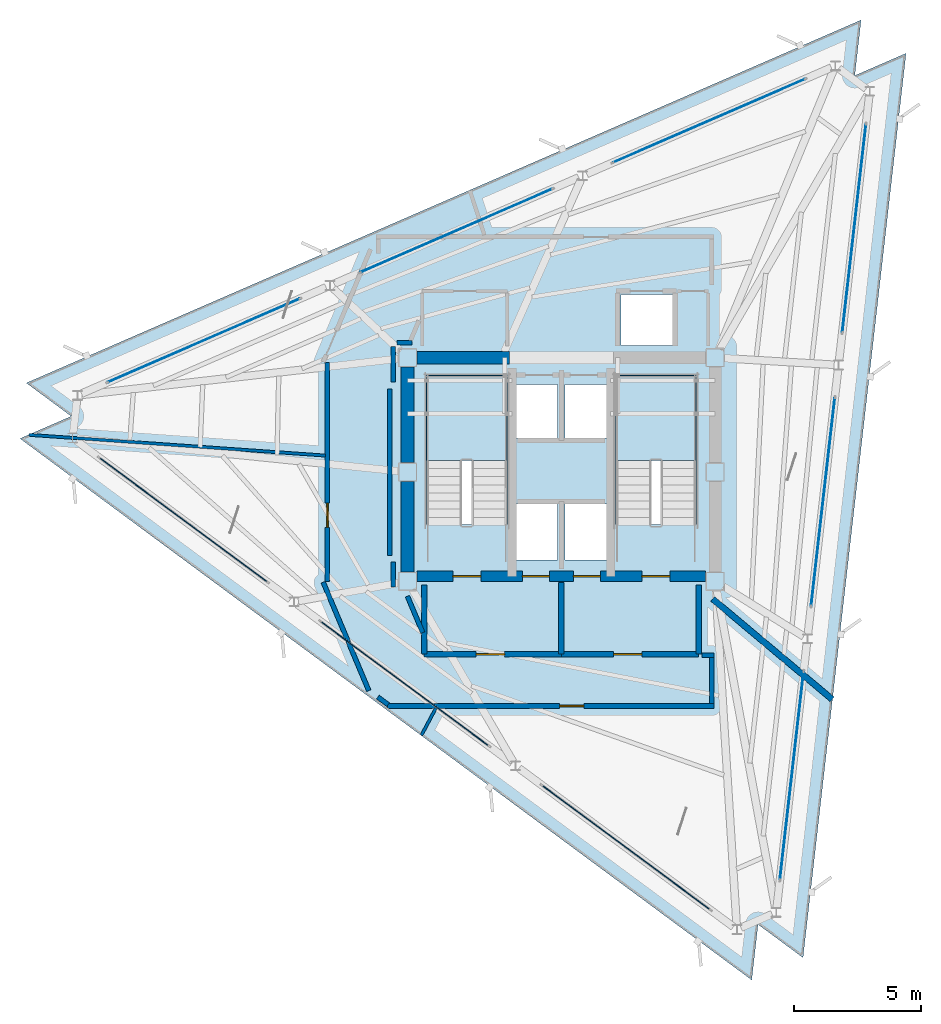
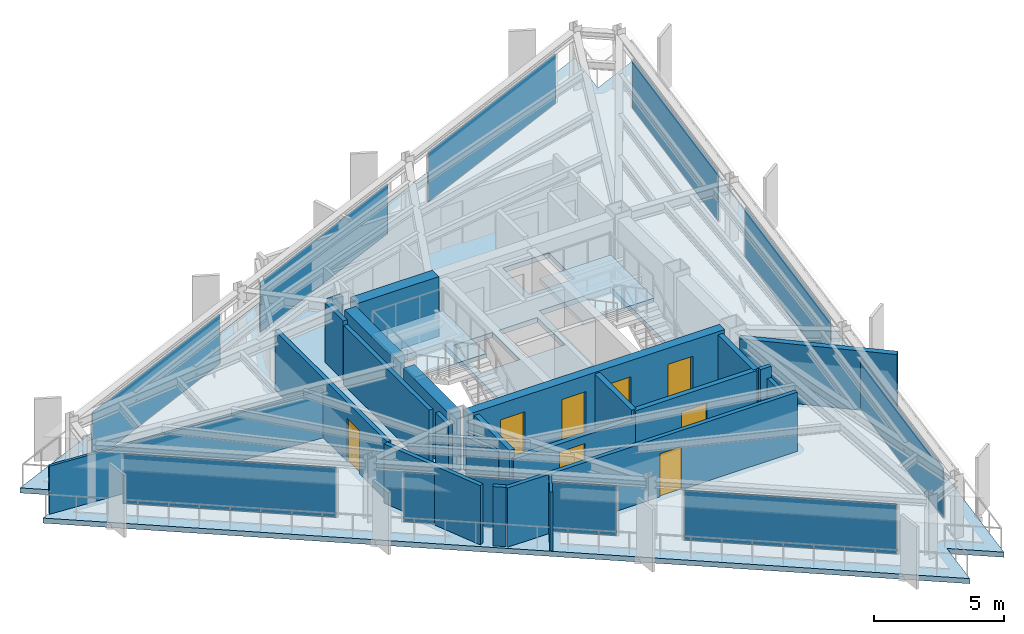
# One storey, part 5 of 9: 23 walls, 9 plates, 8 doors, 3 slabs, 8 openings, 11 elements without a shape of their own.
"""IFC4 building model written with IfcOpenShell, lengths in metres."""

import ifcopenshell
import ifcopenshell.guid

model = None  # the IFC model being written
_history = None  # IfcOwnerHistory: only IFC2X3 demands one
_inside = {}  # id of a spatial element -> (the spatial element, [elements in it])
_under = {}  # id of a project, library or spatial element -> (it, [spatial elements below it])
_declared = {}  # id of a project -> (the project, [libraries it declares])
_typed = {}  # id of a type object -> (the type object, [elements of that type])
_made_of = {}  # id of a material, layer set ... -> (it, [elements and type objects made of it])


def new_model(schema):
    """Start an empty IFC model of exactly this schema.

    Asked for "IFC4X3", IfcOpenShell would pick the latest addendum, in which some entities
    have other attributes; the version numbers below select the first issue.
    IFC2X3 requires an IfcOwnerHistory on every rooted entity: one is made here for all.
    """
    global model, _history
    if schema == "IFC4X3":
        model = ifcopenshell.file(schema_version=(4, 3, 0, 0))
    else:
        model = ifcopenshell.file(schema=schema)
    _inside.clear()
    _under.clear()
    _declared.clear()
    _typed.clear()
    _made_of.clear()
    _history = None
    if model.schema == "IFC2X3":
        org = make("IfcOrganization", Name="unknown")
        user = make(
            "IfcPersonAndOrganization",
            ThePerson=make("IfcPerson", FamilyName="unknown"),
            TheOrganization=org,
        )
        app = make(
            "IfcApplication",
            ApplicationDeveloper=org,
            Version="unknown",
            ApplicationFullName="unknown",
            ApplicationIdentifier="unknown",
        )
        _history = make(
            "IfcOwnerHistory",
            OwningUser=user,
            OwningApplication=app,
            ChangeAction="ADDED",
            CreationDate=0,
        )
    return model


def make(cls, **values):
    """One entity of the class cls with the attributes given. An attribute that is None is left unset."""
    return model.create_entity(
        cls, **{name: value for name, value in values.items() if value is not None}
    )


def rooted(cls, **values):
    """An entity with a GlobalId (a new one), such as an element, a storey or a relation."""
    return make(cls, GlobalId=ifcopenshell.guid.new(), OwnerHistory=_history, **values)


def si_unit(unit_type, name, prefix=None):
    """IfcSIUnit, for example si_unit("LENGTHUNIT", "METRE", prefix="MILLI")."""
    return make("IfcSIUnit", UnitType=unit_type, Prefix=prefix, Name=name)


def assignment(units):
    """IfcUnitAssignment: the units of a project."""
    return None if units is None else make("IfcUnitAssignment", Units=units)


def point(xyz):
    """IfcCartesianPoint."""
    return None if xyz is None else make("IfcCartesianPoint", Coordinates=xyz)


def direction(xyz):
    """IfcDirection."""
    return None if xyz is None else make("IfcDirection", DirectionRatios=xyz)


def frame(location, z_axis=None, x_axis=None):
    """IfcAxis2Placement3D, a coordinate frame: its origin and axes. An axis left out is left unset."""
    return make(
        "IfcAxis2Placement3D",
        Location=point(location),
        Axis=direction(z_axis),
        RefDirection=direction(x_axis),
    )


def frame_2d(location, x_axis=None):
    """IfcAxis2Placement2D, a coordinate frame in the plane: its origin and x axis."""
    return make(
        "IfcAxis2Placement2D", Location=point(location), RefDirection=direction(x_axis)
    )


def origin():
    """The frame at (0, 0, 0) with its axes left unset."""
    return frame((0.0, 0.0, 0.0))


def origin_2d():
    """The frame at (0, 0) in the plane with its x axis left unset."""
    return frame_2d((0.0, 0.0))


def place(relative_to, where):
    """IfcLocalPlacement: puts the frame where relative to a parent placement (None: the world)."""
    return make(
        "IfcLocalPlacement", PlacementRelTo=relative_to, RelativePlacement=where
    )


def context(
    kind, dimensions, precision=None, world=None, true_north=None, identifier=None
):
    """IfcGeometricRepresentationContext, for example the 3D "Model" context."""
    return make(
        "IfcGeometricRepresentationContext",
        ContextIdentifier=identifier,
        ContextType=kind,
        CoordinateSpaceDimension=dimensions,
        Precision=precision,
        WorldCoordinateSystem=world,
        TrueNorth=true_north,
    )


def subcontext(parent, identifier, kind, view, scale=None):
    """IfcGeometricRepresentationSubContext, for example "Body" below "Model"."""
    return make(
        "IfcGeometricRepresentationSubContext",
        ContextIdentifier=identifier,
        ContextType=kind,
        ParentContext=parent,
        TargetScale=scale,
        TargetView=view,
    )


def project(units=None, contexts=None):
    """IfcProject with its units and contexts."""
    return rooted(
        "IfcProject",
        Name="project",
        RepresentationContexts=contexts,
        UnitsInContext=assignment(units),
    )


def spatial(cls, under=None, at=None, **own):
    """A site, building, storey or space (cls), placed at a placement, below another one or the project."""
    s = rooted(cls, ObjectPlacement=at, **own)
    if under is not None:
        _under.setdefault(under.id(), (under, []))[1].append(s)
    return s


def polyline(points):
    """IfcPolyline through the points."""
    return make("IfcPolyline", Points=[point(p) for p in points])


def profile(cls, at=None, kind="AREA", **sizes):
    """A parametric profile (cls). Its sizes go by their IFC names, for example OverallWidth=200.0."""
    return make(cls, ProfileType=kind, Position=at, **sizes)


def rectangle(**sizes):
    """IfcRectangleProfileDef."""
    return profile("IfcRectangleProfileDef", **sizes)


def outline(outer, holes=None, kind="AREA"):
    """IfcArbitraryClosedProfileDef: a profile drawn as a closed curve; with holes, ...WithVoids."""
    if holes is None:
        return make("IfcArbitraryClosedProfileDef", ProfileType=kind, OuterCurve=outer)
    return make(
        "IfcArbitraryProfileDefWithVoids",
        ProfileType=kind,
        OuterCurve=outer,
        InnerCurves=holes,
    )


def extrude(swept, where, along, depth):
    """IfcExtrudedAreaSolid: the profile swept, set in the frame where, extruded along a direction by depth."""
    return make(
        "IfcExtrudedAreaSolid",
        SweptArea=swept,
        Position=where,
        ExtrudedDirection=direction(along),
        Depth=depth,
    )


def shape(context_of_items, identifier, shape_type, items):
    """IfcShapeRepresentation: the items that make up one representation, for example the "Body"."""
    return make(
        "IfcShapeRepresentation",
        ContextOfItems=context_of_items,
        RepresentationIdentifier=identifier,
        RepresentationType=shape_type,
        Items=items,
    )


def material(Name=None, Category=None):
    """IfcMaterial."""
    return make("IfcMaterial", Name=Name, Category=Category)


def layer(
    of_material, thickness, ventilated=None, Name=None, Category=None, Priority=None
):
    """IfcMaterialLayer: one layer of a wall or slab, of a material (None: an air gap)."""
    return make(
        "IfcMaterialLayer",
        Material=of_material,
        LayerThickness=thickness,
        IsVentilated=ventilated,
        Name=Name,
        Category=Category,
        Priority=Priority,
    )


def layer_set(layers, Name=None):
    """IfcMaterialLayerSet."""
    return make("IfcMaterialLayerSet", MaterialLayers=layers, LayerSetName=Name)


def made_of(thing, what):
    """Note that an element or type object is made of a material, layer set ...; save() writes the relation."""
    if what is not None:
        _made_of.setdefault(what.id(), (what, []))[1].append(thing)
    return thing


def type_object(cls, material=None, **own):
    """A type object (cls), such as IfcWallType, which elements share."""
    return made_of(rooted(cls, **own), material)


def element(
    cls,
    number,
    at=None,
    inside=None,
    cuts=None,
    type_object=None,
    material=None,
    context=None,
    identifier="Body",
    shape_type=None,
    held_by="IfcProductDefinitionShape",
    body=None,
    shapes=None,
    **own,
):
    """One element of the class cls, such as IfcWall. Its Tag is "e" and its number.

    at: its placement. inside: the storey or other place that contains it. cuts: it is an
    opening in that element (IfcRelVoidsElement). A single representation is given by context,
    identifier, shape_type and body (its items); several are given by shapes. held_by: the class
    of the entity that holds the representations. save() writes the other relations.
    """
    e = rooted(cls, Tag="e%d" % number, ObjectPlacement=at, **own)
    if body is not None:
        shapes = [shape(context, identifier, shape_type, body)]
    if shapes is not None:
        e.Representation = make(held_by, Representations=shapes)
    if inside is not None:
        _inside.setdefault(inside.id(), (inside, []))[1].append(e)
    if cuts is not None:
        rooted(
            "IfcRelVoidsElement", RelatingBuildingElement=cuts, RelatedOpeningElement=e
        )
    if type_object is not None:
        _typed.setdefault(type_object.id(), (type_object, []))[1].append(e)
    return made_of(e, material)


def fill(opening, filler):
    """IfcRelFillsElement: the door or window that sits in an opening."""
    return rooted(
        "IfcRelFillsElement",
        RelatingOpeningElement=opening,
        RelatedBuildingElement=filler,
    )


def aggregate(whole, parts):
    """IfcRelAggregates: a whole, such as a stair, and the parts it consists of."""
    return rooted("IfcRelAggregates", RelatingObject=whole, RelatedObjects=parts)


def save(model, path):
    """Write the relations noted so far, then the file.

    IfcRelAggregates (storeys below a building ...), IfcRelContainedInSpatialStructure (elements
    in a storey), IfcRelDefinesByType, IfcRelAssociatesMaterial and IfcRelDeclares: one each for
    every whole, place, type object, material and project.
    """
    for whole, parts in _under.values():
        aggregate(whole, parts)
    for where, things in _inside.values():
        rooted(
            "IfcRelContainedInSpatialStructure",
            RelatedElements=things,
            RelatingStructure=where,
        )
    for kind, things in _typed.values():
        rooted("IfcRelDefinesByType", RelatedObjects=things, RelatingType=kind)
    for what, things in _made_of.values():
        rooted("IfcRelAssociatesMaterial", RelatedObjects=things, RelatingMaterial=what)
    for by, libraries in _declared.values():
        rooted("IfcRelDeclares", RelatingContext=by, RelatedDefinitions=libraries)
    model.write(path)


model = new_model("IFC4")

# Units and contexts
model_context = context("Model", 3, precision=1e-05, world=origin(), true_north=direction((0.0, 1.0)))
body_context = subcontext(model_context, "Body", "Model", "MODEL_VIEW")
ifc_project = project(units=[si_unit("LENGTHUNIT", "METRE"), si_unit("AREAUNIT", "SQUARE_METRE"), si_unit("VOLUMEUNIT", "CUBIC_METRE"), si_unit("PLANEANGLEUNIT", "RADIAN"), si_unit("MASSUNIT", "GRAM", prefix="KILO")], contexts=[model_context])

# Site, building, storey
site_placement = place(None, origin())
site = spatial("IfcSite", under=ifc_project, at=site_placement, CompositionType="ELEMENT")
building_placement = place(site_placement, origin())
building = spatial("IfcBuilding", under=site, at=building_placement, Name="Rocaltana Carrier Exchange", CompositionType="ELEMENT")
storey_placement = place(building_placement, frame((0.0, 0.0, 233.1201171875)))
storey = spatial("IfcBuildingStorey", under=building, at=storey_placement, Name="L74", CompositionType="ELEMENT", Elevation=233.1201171875)

# Curtain wall, plate
ifc_material_1 = material(Name="Aluminium 6063-T6", Category="aluminium")
ifc_layer_1 = layer(ifc_material_1, 0.1201171875)
ifc_layer_set_1 = layer_set([ifc_layer_1], Name="Aluminium 6063-T6")
curtain_wall_type = type_object("IfcCurtainWallType", Name="High-Altitude Thermal Curtain Wall CW-05", PredefinedType="NOTDEFINED", material=ifc_layer_set_1)
curtain_wall_1_placement = place(storey_placement, origin())
curtain_wall_1 = element("IfcCurtainWall", 1, at=curtain_wall_1_placement, inside=storey, type_object=curtain_wall_type, Name="L74 CW-05 Run CW-L74-F1S1", PredefinedType="NOTDEFINED")
ifc_material_2 = material(Name="Tempered Laminated Glass", Category="glass")
ifc_layer_2 = layer(ifc_material_2, 0.035888671875)
ifc_layer_set_2 = layer_set([ifc_layer_2], Name="Tempered Laminated Glass")
plate_type = type_object("IfcPlateType", Name="CW-05 Stone-Insulated Vision Panel", PredefinedType="CURTAIN_PANEL", material=ifc_layer_set_2)
plate_1_placement = place(storey_placement, frame((9.061767578125, -11.935791015625, 0.06005859375), z_axis=(0.0, 0.0, 1.0), x_axis=(0.113208822277, 0.993571216652, 0.0)))
plate_1 = element("IfcPlate", 2, at=plate_1_placement, type_object=plate_type, Name="CW-05 panel 1.1", PredefinedType="CURTAIN_PANEL", context=body_context, shape_type="SweptSolid", body=[
    extrude(rectangle(XDim=8.21337890625, YDim=0.035888671875, at=origin_2d()), origin(), (0.0, 0.0, 1.0), 2.327880859375),
])
aggregate(curtain_wall_1, [plate_1])

curtain_wall_2_placement = place(storey_placement, origin())
curtain_wall_2 = element("IfcCurtainWall", 3, at=curtain_wall_2_placement, inside=storey, type_object=curtain_wall_type, Name="L74 CW-05 Run CW-L74-F1S2", PredefinedType="NOTDEFINED")
plate_2_placement = place(storey_placement, frame((10.2880859375, -1.172119140625, 0.06005859375), z_axis=(0.0, 0.0, 1.0), x_axis=(0.113208822277, 0.993571216652, 0.0)))
plate_2 = element("IfcPlate", 4, at=plate_2_placement, type_object=plate_type, Name="CW-05 panel 1.1", PredefinedType="CURTAIN_PANEL", context=body_context, shape_type="SweptSolid", body=[
    extrude(rectangle(XDim=8.21337890625, YDim=0.035888671875, at=origin_2d()), origin(), (0.0, 0.0, 1.0), 2.327880859375),
])
aggregate(curtain_wall_2, [plate_2])

curtain_wall_3_placement = place(storey_placement, origin())
curtain_wall_3 = element("IfcCurtainWall", 5, at=curtain_wall_3_placement, inside=storey, type_object=curtain_wall_type, Name="L74 CW-05 Run CW-L74-F1S3", PredefinedType="NOTDEFINED")
plate_3_placement = place(storey_placement, frame((11.5146484375, 9.591552734375, 0.06005859375), z_axis=(0.0, 0.0, 1.0), x_axis=(0.113196975964, 0.993572566365, 0.0)))
plate_3 = element("IfcPlate", 6, at=plate_3_placement, type_object=plate_type, Name="CW-05 panel 1.1", PredefinedType="CURTAIN_PANEL", context=body_context, shape_type="SweptSolid", body=[
    extrude(rectangle(XDim=8.21337890625, YDim=0.035888671875, at=origin_2d()), origin(), (0.0, 0.0, 1.0), 2.327880859375),
])
aggregate(curtain_wall_3, [plate_3])

curtain_wall_4_placement = place(storey_placement, origin())
curtain_wall_4 = element("IfcCurtainWall", 7, at=curtain_wall_4_placement, inside=storey, type_object=curtain_wall_type, Name="L74 CW-05 Run CW-L74-F2S1", PredefinedType="NOTDEFINED")
plate_4_placement = place(storey_placement, frame((5.805908203125, 13.815673828125, 0.06005859375), z_axis=(0.0, 0.0, 1.0), x_axis=(-0.917056701313, -0.39875682637, 0.0)))
plate_4 = element("IfcPlate", 8, at=plate_4_placement, type_object=plate_type, Name="CW-05 panel 1.1", PredefinedType="CURTAIN_PANEL", context=body_context, shape_type="SweptSolid", body=[
    extrude(rectangle(XDim=8.21337890625, YDim=0.035888671875, at=origin_2d()), origin(), (0.0, 0.0, 1.0), 2.327880859375),
])
aggregate(curtain_wall_4, [plate_4])

curtain_wall_5_placement = place(storey_placement, origin())
curtain_wall_5 = element("IfcCurtainWall", 9, at=curtain_wall_5_placement, inside=storey, type_object=curtain_wall_type, Name="L74 CW-05 Run CW-L74-F2S2", PredefinedType="NOTDEFINED")
plate_5_placement = place(storey_placement, frame((-4.12890625, 9.495849609375, 0.06005859375), z_axis=(0.0, 0.0, 1.0), x_axis=(-0.917058609352, -0.398752438254, 0.0)))
plate_5 = element("IfcPlate", 10, at=plate_5_placement, type_object=plate_type, Name="CW-05 panel 1.1", PredefinedType="CURTAIN_PANEL", context=body_context, shape_type="SweptSolid", body=[
    extrude(rectangle(XDim=8.21337890625, YDim=0.035888671875, at=origin_2d()), origin(), (0.0, 0.0, 1.0), 2.327880859375),
])
aggregate(curtain_wall_5, [plate_5])

curtain_wall_6_placement = place(storey_placement, origin())
curtain_wall_6 = element("IfcCurtainWall", 11, at=curtain_wall_6_placement, inside=storey, type_object=curtain_wall_type, Name="L74 CW-05 Run CW-L74-F2S3", PredefinedType="NOTDEFINED")
plate_6_placement = place(storey_placement, frame((-14.063720703125, 5.176025390625, 0.06005859375), z_axis=(0.0, 0.0, 1.0), x_axis=(-0.917056701313, -0.39875682637, 0.0)))
plate_6 = element("IfcPlate", 12, at=plate_6_placement, type_object=plate_type, Name="CW-05 panel 1.1", PredefinedType="CURTAIN_PANEL", context=body_context, shape_type="SweptSolid", body=[
    extrude(rectangle(XDim=8.21337890625, YDim=0.035888671875, at=origin_2d()), origin(), (0.0, 0.0, 1.0), 2.327880859375),
])
aggregate(curtain_wall_6, [plate_6])

curtain_wall_7_placement = place(storey_placement, origin())
curtain_wall_7 = element("IfcCurtainWall", 13, at=curtain_wall_7_placement, inside=storey, type_object=curtain_wall_type, Name="L74 CW-05 Run CW-L74-F3S1", PredefinedType="NOTDEFINED")
plate_7_placement = place(storey_placement, frame((-14.86767578125, -1.8798828125, 0.06005859375), z_axis=(0.0, 0.0, 1.0), x_axis=(0.803854063386, -0.594826566974, 0.0)))
plate_7 = element("IfcPlate", 14, at=plate_7_placement, type_object=plate_type, Name="CW-05 panel 1.1", PredefinedType="CURTAIN_PANEL", context=body_context, shape_type="SweptSolid", body=[
    extrude(rectangle(XDim=8.21337890625, YDim=0.035888671875, at=origin_2d()), origin(), (0.0, 0.0, 1.0), 2.327880859375),
])
aggregate(curtain_wall_7, [plate_7])

curtain_wall_8_placement = place(storey_placement, origin())
curtain_wall_8 = element("IfcCurtainWall", 15, at=curtain_wall_8_placement, inside=storey, type_object=curtain_wall_type, Name="L74 CW-05 Run CW-L74-F3S2", PredefinedType="NOTDEFINED")
plate_8_placement = place(storey_placement, frame((-6.1591796875, -8.32373046875, 0.06005859375), z_axis=(0.0, 0.0, 1.0), x_axis=(0.803858309141, -0.594820829179, 0.0)))
plate_8 = element("IfcPlate", 16, at=plate_8_placement, type_object=plate_type, Name="CW-05 panel 1.1", PredefinedType="CURTAIN_PANEL", context=body_context, shape_type="SweptSolid", body=[
    extrude(rectangle(XDim=8.21337890625, YDim=0.035888671875, at=origin_2d()), origin(), (0.0, 0.0, 1.0), 2.327880859375),
])
aggregate(curtain_wall_8, [plate_8])

curtain_wall_9_placement = place(storey_placement, origin())
curtain_wall_9 = element("IfcCurtainWall", 17, at=curtain_wall_9_placement, inside=storey, type_object=curtain_wall_type, Name="L74 CW-05 Run CW-L74-F3S3", PredefinedType="NOTDEFINED")
plate_9_placement = place(storey_placement, frame((2.54931640625, -14.767578125, 0.06005859375), z_axis=(0.0, 0.0, 1.0), x_axis=(0.803854063386, -0.594826566974, 0.0)))
plate_9 = element("IfcPlate", 18, at=plate_9_placement, type_object=plate_type, Name="CW-05 panel 1.1", PredefinedType="CURTAIN_PANEL", context=body_context, shape_type="SweptSolid", body=[
    extrude(rectangle(XDim=8.21337890625, YDim=0.035888671875, at=origin_2d()), origin(), (0.0, 0.0, 1.0), 2.327880859375),
])
aggregate(curtain_wall_9, [plate_9])

# Slab
ifc_material_3 = material(Name="Concrete C50/60", Category="concrete")
ifc_layer_3 = layer(ifc_material_3, 0.239990234375)
ifc_layer_set_3 = layer_set([ifc_layer_3], Name="Concrete C50/60")
slab_type_1 = type_object("IfcSlabType", Name="High-Zone Tower Slab 240", PredefinedType="FLOOR", material=ifc_layer_set_3)
slab_1_placement = place(storey_placement, frame((0.0, 0.0, -0.240234375)))
element("IfcSlab", 19, at=slab_1_placement, inside=storey, type_object=slab_type_1, Name="L74 Structural Floor Slab", PredefinedType="FLOOR", context=body_context, shape_type="SweptSolid", body=[
    extrude(outline(polyline([(7.486328125, -19.975830078125), (7.7353515625, -17.7900390625), (9.50390625, -19.0986328125), (13.556396484375, 16.47119140625), (11.538818359375, 15.593994140625), (11.7880859375, 17.77978515625), (-21.042724609375, 3.504638671875), (-19.2744140625, 2.196044921875), (-21.291748046875, 1.31884765625), (7.486328125, -19.975830078125)]), holes=[polyline([(-5.300048828125, -2.06005859375), (-2.139892578125, -2.06005859375), (-2.139892578125, 3.800048828125), (-5.300048828125, 3.800048828125), (-5.300048828125, -2.06005859375)]), polyline([(2.139892578125, -2.06005859375), (5.300048828125, -2.06005859375), (5.300048828125, 3.800048828125), (2.139892578125, 3.800048828125), (2.139892578125, -2.06005859375)]), polyline([(-1.85009765625, -3.449951171875), (-0.14990234375, -3.449951171875), (-0.14990234375, -1.25), (-1.85009765625, -1.25), (-1.85009765625, -3.449951171875)]), polyline([(0.14990234375, -3.449951171875), (1.85009765625, -3.449951171875), (1.85009765625, -1.25), (0.14990234375, -1.25), (0.14990234375, -3.449951171875)]), polyline([(2.35009765625, 4.97998046875), (4.39990234375, 4.97998046875), (4.39990234375, 6.97998046875), (2.35009765625, 6.97998046875), (2.35009765625, 4.97998046875)]), polyline([(-1.85009765625, 1.35009765625), (-0.14990234375, 1.35009765625), (-0.14990234375, 3.449951171875), (-1.85009765625, 3.449951171875), (-1.85009765625, 1.35009765625)]), polyline([(0.14990234375, 1.35009765625), (1.85009765625, 1.35009765625), (1.85009765625, 3.449951171875), (0.14990234375, 3.449951171875), (0.14990234375, 1.35009765625)])]), origin(), (0.0, 0.0, 1.0), 0.240234375),
])

# Stair, slab
ifc_material_4 = material(Name="Precast concrete C45/55", Category="concrete")
stair_type = type_object("IfcStairType", Name="Standard Dog-Leg Stair 160", PredefinedType="HALF_TURN_STAIR", material=ifc_material_4)
stair_1_placement = place(storey_placement, origin())
stair_1 = element("IfcStair", 20, at=stair_1_placement, inside=storey, type_object=stair_type, Name="L74 Core West Exit Stair ST-1", PredefinedType="HALF_TURN_STAIR")
ifc_material_5 = material(Name="Precast concrete C45/55", Category="concrete")
ifc_layer_4 = layer(ifc_material_5, 0.199951171875)
ifc_layer_set_4 = layer_set([ifc_layer_4], Name="Precast concrete C45/55")
slab_type_2 = type_object("IfcSlabType", Name="Precast Stair Half-Landing 200", PredefinedType="LANDING", material=ifc_layer_set_4)
slab_2_placement = place(storey_placement, frame((0.0, 0.0, 1.31982421875)))
slab_2 = element("IfcSlab", 21, at=slab_2_placement, type_object=slab_type_2, Name="ST-1 landing 1", PredefinedType="LANDING", context=body_context, shape_type="SweptSolid", body=[
    extrude(outline(polyline([(-2.139892578125, 0.4599609375), (-2.139892578125, 3.800048828125), (-5.300048828125, 3.800048828125), (-5.300048828125, 0.4599609375), (-2.139892578125, 0.4599609375)])), origin(), (0.0, 0.0, 1.0), 0.199951171875),
])
aggregate(stair_1, [slab_2])

stair_2_placement = place(storey_placement, origin())
stair_2 = element("IfcStair", 22, at=stair_2_placement, inside=storey, type_object=stair_type, Name="L74 Core East Exit Stair ST-2", PredefinedType="HALF_TURN_STAIR")
slab_3_placement = place(storey_placement, frame((0.0, 0.0, 1.31982421875)))
slab_3 = element("IfcSlab", 23, at=slab_3_placement, type_object=slab_type_2, Name="ST-2 landing 1", PredefinedType="LANDING", context=body_context, shape_type="SweptSolid", body=[
    extrude(outline(polyline([(5.300048828125, 0.4599609375), (5.300048828125, 3.800048828125), (2.139892578125, 3.800048828125), (2.139892578125, 0.4599609375), (5.300048828125, 0.4599609375)])), origin(), (0.0, 0.0, 1.0), 0.199951171875),
])
aggregate(stair_2, [slab_3])

# Wall, openings, doors
ifc_material_6 = material(Name="Concrete C50/60", Category="concrete")
ifc_layer_5 = layer(ifc_material_6, 0.39990234375)
ifc_layer_set_5 = layer_set([ifc_layer_5], Name="Concrete C50/60")
wall_type_1 = type_object("IfcWallType", Name="Core Internal Shear Wall 400", PredefinedType="SHEAR", material=ifc_layer_set_5)
wall_1_placement = place(storey_placement, frame((-5.675048828125, -4.10009765625, 0.0), z_axis=(0.0, 0.0, 1.0), x_axis=(1.0, 0.0, 0.0)))
wall_1 = element("IfcWall", 24, at=wall_1_placement, inside=storey, type_object=wall_type_1, Name="L74 Core Shear Wall CW-S", PredefinedType="SHEAR", context=body_context, shape_type="SweptSolid", body=[
    extrude(rectangle(XDim=11.35009765625, YDim=0.39990234375, at=frame_2d((5.675048828125, 0.0))), origin(), (0.0, 0.0, 1.0), 2.7978515625),
])
opening_1_placement = place(wall_1_placement, frame((1.405029296875, 0.0, 0.0)))
opening_1 = element("IfcOpeningElement", 25, at=opening_1_placement, cuts=wall_1, Name="Opening D-ST110", PredefinedType="OPENING", context=body_context, shape_type="SweptSolid", body=[
    extrude(rectangle(XDim=1.10009765625, YDim=2.0400390625, at=frame_2d((0.550048828125, 1.02001953125))), frame((0.0, 0.2099609375, 0.0), z_axis=(0.0, -1.0, 0.0), x_axis=(1.0, 0.0, 0.0)), (0.0, 0.0, 1.0), 0.419921875),
])
opening_2_placement = place(wall_1_placement, frame((8.844970703125, 0.0, 0.0)))
opening_2 = element("IfcOpeningElement", 26, at=opening_2_placement, cuts=wall_1, Name="Opening D-ST110", PredefinedType="OPENING", context=body_context, shape_type="SweptSolid", body=[
    extrude(rectangle(XDim=1.10009765625, YDim=2.0400390625, at=frame_2d((0.550048828125, 1.02001953125))), frame((0.0, 0.2099609375, 0.0), z_axis=(0.0, -1.0, 0.0), x_axis=(1.0, 0.0, 0.0)), (0.0, 0.0, 1.0), 0.419921875),
])
opening_3_placement = place(wall_1_placement, frame((4.14501953125, 0.0, 0.0)))
opening_3 = element("IfcOpeningElement", 27, at=opening_3_placement, cuts=wall_1, Name="Opening LD-110", PredefinedType="OPENING", context=body_context, shape_type="SweptSolid", body=[
    extrude(rectangle(XDim=1.06005859375, YDim=2.0400390625, at=frame_2d((0.530029296875, 1.02001953125))), frame((0.0, 0.2099609375, 0.0), z_axis=(0.0, -1.0, 0.0), x_axis=(1.0, 0.0, 0.0)), (0.0, 0.0, 1.0), 0.419921875),
])
opening_4_placement = place(wall_1_placement, frame((6.14501953125, 0.0, 0.0)))
opening_4 = element("IfcOpeningElement", 28, at=opening_4_placement, cuts=wall_1, Name="Opening LD-110", PredefinedType="OPENING", context=body_context, shape_type="SweptSolid", body=[
    extrude(rectangle(XDim=1.06005859375, YDim=2.0400390625, at=frame_2d((0.530029296875, 1.02001953125))), frame((0.0, 0.2099609375, 0.0), z_axis=(0.0, -1.0, 0.0), x_axis=(1.0, 0.0, 0.0)), (0.0, 0.0, 1.0), 0.419921875),
])
ifc_material_7 = material(Name="Hollow Metal Fire Door Assembly", Category="steel")
door_type_1 = type_object("IfcDoorType", Name="Exit Stair Fire Door 1100x2040 FD90S", OperationType="NOTDEFINED", PredefinedType="DOOR", material=ifc_material_7)
door_1_placement = place(opening_1_placement, origin())
door_1 = element("IfcDoor", 29, at=door_1_placement, inside=storey, type_object=door_type_1, Name="L74 Exit Stair ST1 Fire Door", OperationType="SINGLE_SWING_LEFT", OverallHeight=2.0400390625, OverallWidth=1.10009765625, PredefinedType="DOOR", context=body_context, shape_type="SweptSolid", body=[
    extrude(rectangle(XDim=1.10009765625, YDim=2.0400390625, at=frame_2d((0.550048828125, 1.02001953125))), frame((0.0, 0.02490234375, 0.0), z_axis=(0.0, -1.0, 0.0), x_axis=(1.0, 0.0, 0.0)), (0.0, 0.0, 1.0), 0.050048828125),
])
fill(opening_1, door_1)
door_2_placement = place(opening_2_placement, origin())
door_2 = element("IfcDoor", 30, at=door_2_placement, inside=storey, type_object=door_type_1, Name="L74 Exit Stair ST2 Fire Door", OperationType="SINGLE_SWING_RIGHT", OverallHeight=2.0400390625, OverallWidth=1.10009765625, PredefinedType="DOOR", context=body_context, shape_type="SweptSolid", body=[
    extrude(rectangle(XDim=1.10009765625, YDim=2.0400390625, at=frame_2d((0.550048828125, 1.02001953125))), frame((0.0, 0.02490234375, 0.0), z_axis=(0.0, -1.0, 0.0), x_axis=(1.0, 0.0, 0.0)), (0.0, 0.0, 1.0), 0.050048828125),
])
fill(opening_2, door_2)
ifc_material_8 = material(Name="Brushed Stainless Sliding Door Leaf", Category="steel")
door_type_2 = type_object("IfcDoorType", Name="Lift Landing Sliding Door 1060x2040", OperationType="NOTDEFINED", PredefinedType="DOOR", material=ifc_material_8)
door_3_placement = place(opening_3_placement, origin())
door_3 = element("IfcDoor", 31, at=door_3_placement, inside=storey, type_object=door_type_2, Name="L74 Firefighting Lift FFL1 Landing Door", OperationType="SLIDING_TO_LEFT", OverallHeight=2.0400390625, OverallWidth=1.06005859375, PredefinedType="DOOR", context=body_context, shape_type="SweptSolid", body=[
    extrude(rectangle(XDim=1.06005859375, YDim=2.0400390625, at=frame_2d((0.530029296875, 1.02001953125))), frame((0.0, 0.02490234375, 0.0), z_axis=(0.0, -1.0, 0.0), x_axis=(1.0, 0.0, 0.0)), (0.0, 0.0, 1.0), 0.050048828125),
])
fill(opening_3, door_3)
door_4_placement = place(opening_4_placement, origin())
door_4 = element("IfcDoor", 32, at=door_4_placement, inside=storey, type_object=door_type_2, Name="L74 Firefighting Lift FFL2 Landing Door", OperationType="SLIDING_TO_RIGHT", OverallHeight=2.0400390625, OverallWidth=1.06005859375, PredefinedType="DOOR", context=body_context, shape_type="SweptSolid", body=[
    extrude(rectangle(XDim=1.06005859375, YDim=2.0400390625, at=frame_2d((0.530029296875, 1.02001953125))), frame((0.0, 0.02490234375, 0.0), z_axis=(0.0, -1.0, 0.0), x_axis=(1.0, 0.0, 0.0)), (0.0, 0.0, 1.0), 0.050048828125),
])
fill(opening_4, door_4)

# Walls
ifc_material_9 = material(Name="Concrete C50/60", Category="concrete")
ifc_layer_6 = layer(ifc_material_9, 0.5)
ifc_layer_set_6 = layer_set([ifc_layer_6], Name="Concrete C50/60")
wall_type_2 = type_object("IfcWallType", Name="Core Shear Wall 500", PredefinedType="SHEAR", material=ifc_layer_set_6)
wall_2_placement = place(storey_placement, frame((-6.050048828125, 0.375, 0.0), z_axis=(0.0, 0.0, 1.0), x_axis=(0.0, 1.0, 0.0)))
element("IfcWall", 33, at=wall_2_placement, inside=storey, type_object=wall_type_2, Name="L74 Core Shear Wall CW-WN", PredefinedType="SHEAR", context=body_context, shape_type="SweptSolid", body=[
    extrude(rectangle(XDim=3.75, YDim=0.5, at=frame_2d((1.875, 0.0))), origin(), (0.0, 0.0, 1.0), 2.7978515625),
])
wall_3_placement = place(storey_placement, frame((-6.050048828125, -3.925048828125, 0.0), z_axis=(0.0, 0.0, 1.0), x_axis=(0.0, 1.0, 0.0)))
element("IfcWall", 34, at=wall_3_placement, inside=storey, type_object=wall_type_2, Name="L74 Core Shear Wall CW-WS", PredefinedType="SHEAR", context=body_context, shape_type="SweptSolid", body=[
    extrude(rectangle(XDim=3.550048828125, YDim=0.5, at=frame_2d((1.77490234375, 0.0))), origin(), (0.0, 0.0, 1.0), 2.7978515625),
])
wall_4_placement = place(storey_placement, frame((-5.675048828125, 4.5, 0.0), z_axis=(0.0, 0.0, 1.0), x_axis=(1.0, 0.0, 0.0)))
element("IfcWall", 35, at=wall_4_placement, inside=storey, type_object=wall_type_2, Name="L74 Core Shear Wall CW-N1", PredefinedType="SHEAR", context=body_context, shape_type="SweptSolid", body=[
    extrude(rectangle(XDim=3.625, YDim=0.5, at=frame_2d((1.8125, 0.0))), origin(), (0.0, 0.0, 1.0), 2.7978515625),
])
ifc_material_10 = material(Name="Gypsum & Steel Stud Partition", Category="steel")
ifc_layer_7 = layer(ifc_material_10, 0.179931640625)
ifc_layer_set_7 = layer_set([ifc_layer_7], Name="Gypsum & Steel Stud Partition")
wall_type_3 = type_object("IfcWallType", Name="Corridor Fire Partition 180 EI60", PredefinedType="PARTITIONING", material=ifc_layer_set_7)
wall_5_placement = place(storey_placement, frame((-7.573974609375, -8.595703125, 0.0), z_axis=(0.0, 0.0, 1.0), x_axis=(-0.38757793583, 0.921836939842, 0.0)))
element("IfcWall", 36, at=wall_5_placement, inside=storey, type_object=wall_type_3, Name="L74 Corridor Partition 1", PredefinedType="PARTITIONING", context=body_context, shape_type="SweptSolid", body=[
    extrude(rectangle(XDim=4.62548828125, YDim=0.179931640625, at=frame_2d((2.312744140625, 0.0))), origin(), (0.0, 0.0, 1.0), 2.77294921875),
])

# Wall, opening, door
wall_6_placement = place(storey_placement, frame((-9.199951171875, -4.303466796875, 0.0), z_axis=(0.0, 0.0, 1.0), x_axis=(0.0, 1.0, 0.0)))
wall_6 = element("IfcWall", 37, at=wall_6_placement, inside=storey, type_object=wall_type_3, Name="L74 Corridor Partition 2", PredefinedType="PARTITIONING", context=body_context, shape_type="SweptSolid", body=[
    extrude(rectangle(XDim=8.60693359375, YDim=0.179931640625, at=frame_2d((4.303466796875, 0.0))), origin(), (0.0, 0.0, 1.0), 2.77294921875),
])
opening_5_placement = place(wall_6_placement, frame((2.126220703125, 0.0, 0.0)))
opening_5 = element("IfcOpeningElement", 38, at=opening_5_placement, cuts=wall_6, Name="Opening D-RM098", PredefinedType="OPENING", context=body_context, shape_type="SweptSolid", body=[
    extrude(rectangle(XDim=0.9599609375, YDim=2.02001953125, at=frame_2d((0.47998046875, 1.010009765625))), frame((0.0, 0.099853515625, 0.0), z_axis=(0.0, -1.0, 0.0), x_axis=(1.0, 0.0, 0.0)), (0.0, 0.0, 1.0), 0.199951171875),
])
ifc_material_11 = material(Name="Engineered Hardwood Timber", Category="wood")
door_type_3 = type_object("IfcDoorType", Name="Workspace Single Door 960x2020", OperationType="NOTDEFINED", PredefinedType="DOOR", material=ifc_material_11)
door_5_placement = place(opening_5_placement, origin())
door_5 = element("IfcDoor", 39, at=door_5_placement, inside=storey, type_object=door_type_3, Name="L74 Cloud Architecture Office Entrance Door", OperationType="SINGLE_SWING_LEFT", OverallHeight=2.02001953125, OverallWidth=0.9599609375, PredefinedType="DOOR", context=body_context, shape_type="SweptSolid", body=[
    extrude(rectangle(XDim=0.9599609375, YDim=2.02001953125, at=frame_2d((0.47998046875, 1.010009765625))), frame((0.0, 0.02490234375, 0.0), z_axis=(0.0, -1.0, 0.0), x_axis=(1.0, 0.0, 0.0)), (0.0, 0.0, 1.0), 0.050048828125),
])
fill(opening_5, door_5)

# Walls
wall_7_placement = place(storey_placement, frame((-5.88134765625, 5.080078125, 0.0), z_axis=(0.0, 0.0, 1.0), x_axis=(-1.0, 0.0, 0.0)))
element("IfcWall", 40, at=wall_7_placement, inside=storey, type_object=wall_type_3, Name="L74 Corridor Partition 9", PredefinedType="PARTITIONING", context=body_context, shape_type="SweptSolid", body=[
    extrude(rectangle(XDim=0.588623046875, YDim=0.179931640625, at=frame_2d((0.29443359375, 0.0))), origin(), (0.0, 0.0, 1.0), 2.77294921875),
])
wall_8_placement = place(storey_placement, frame((-6.610107421875, 4.93994140625, 0.0), z_axis=(0.0, 0.0, 1.0), x_axis=(0.0, -1.0, 0.0)))
element("IfcWall", 41, at=wall_8_placement, inside=storey, type_object=wall_type_3, Name="L74 Corridor Partition 10", PredefinedType="PARTITIONING", context=body_context, shape_type="SweptSolid", body=[
    extrude(rectangle(XDim=1.398681640625, YDim=0.179931640625, at=frame_2d((0.69921875, 0.0))), origin(), (0.0, 0.0, 1.0), 2.77294921875),
])
wall_9_placement = place(storey_placement, frame((-6.75, 3.2734375, 0.0), z_axis=(0.0, 0.0, 1.0), x_axis=(0.0, -1.0, 0.0)))
element("IfcWall", 42, at=wall_9_placement, inside=storey, type_object=wall_type_3, Name="L74 Corridor Partition 11", PredefinedType="PARTITIONING", context=body_context, shape_type="SweptSolid", body=[
    extrude(rectangle(XDim=6.546875, YDim=0.179931640625, at=frame_2d((3.2734375, 0.0))), origin(), (0.0, 0.0, 1.0), 2.77294921875),
])
wall_10_placement = place(storey_placement, frame((-6.610107421875, -3.541259765625, 0.0), z_axis=(0.0, 0.0, 1.0), x_axis=(0.0, -1.0, 0.0)))
element("IfcWall", 43, at=wall_10_placement, inside=storey, type_object=wall_type_3, Name="L74 Corridor Partition 12", PredefinedType="PARTITIONING", context=body_context, shape_type="SweptSolid", body=[
    extrude(rectangle(XDim=0.978759765625, YDim=0.179931640625, at=frame_2d((0.4892578125, 0.0))), origin(), (0.0, 0.0, 1.0), 2.77294921875),
])
wall_11_placement = place(storey_placement, frame((-6.0546875, -4.881591796875, 0.0), z_axis=(0.0, 0.0, 1.0), x_axis=(0.387579540458, -0.921836265189, 0.0)))
element("IfcWall", 44, at=wall_11_placement, inside=storey, type_object=wall_type_3, Name="L74 Corridor Partition 13", PredefinedType="PARTITIONING", context=body_context, shape_type="SweptSolid", body=[
    extrude(rectangle(XDim=1.5546875, YDim=0.179931640625, at=frame_2d((0.77734375, 0.0))), origin(), (0.0, 0.0, 1.0), 2.2529296875),
])
wall_12_placement = place(storey_placement, frame((5.530029296875, -7.199951171875, 0.0), z_axis=(0.0, 0.0, 1.0), x_axis=(1.0, 0.0, 0.0)))
element("IfcWall", 45, at=wall_12_placement, inside=storey, type_object=wall_type_3, Name="L74 Corridor Partition 14", PredefinedType="PARTITIONING", context=body_context, shape_type="SweptSolid", body=[
    extrude(rectangle(XDim=0.47998046875, YDim=0.179931640625, at=frame_2d((0.239990234375, 0.0))), origin(), (0.0, 0.0, 1.0), 2.77294921875),
])
wall_13_placement = place(storey_placement, frame((5.919921875, -7.2900390625, 0.0), z_axis=(0.0, 0.0, 1.0), x_axis=(0.0, -1.0, 0.0)))
element("IfcWall", 46, at=wall_13_placement, inside=storey, type_object=wall_type_3, Name="L74 Corridor Partition 15", PredefinedType="PARTITIONING", context=body_context, shape_type="SweptSolid", body=[
    extrude(rectangle(XDim=1.820068359375, YDim=0.179931640625, at=frame_2d((0.91015625, 0.0))), origin(), (0.0, 0.0, 1.0), 2.2529296875),
])

# Wall, opening, door
wall_14_placement = place(storey_placement, frame((6.010009765625, -9.199951171875, 0.0), z_axis=(0.0, 0.0, 1.0), x_axis=(-1.0, 0.0, 0.0)))
wall_14 = element("IfcWall", 47, at=wall_14_placement, inside=storey, type_object=wall_type_3, Name="L74 Corridor Partition 16", PredefinedType="PARTITIONING", context=body_context, shape_type="SweptSolid", body=[
    extrude(rectangle(XDim=12.840087890625, YDim=0.179931640625, at=frame_2d((6.419921875, 0.0))), origin(), (0.0, 0.0, 1.0), 2.77294921875),
])
opening_6_placement = place(wall_14_placement, frame((5.123779296875, 0.0, 0.0)))
opening_6 = element("IfcOpeningElement", 48, at=opening_6_placement, cuts=wall_14, Name="Opening D-RM098", PredefinedType="OPENING", context=body_context, shape_type="SweptSolid", body=[
    extrude(rectangle(XDim=0.9599609375, YDim=2.02001953125, at=frame_2d((0.47998046875, 1.010009765625))), frame((0.0, 0.099853515625, 0.0), z_axis=(0.0, -1.0, 0.0), x_axis=(1.0, 0.0, 0.0)), (0.0, 0.0, 1.0), 0.199951171875),
])
door_6_placement = place(opening_6_placement, origin())
door_6 = element("IfcDoor", 49, at=door_6_placement, inside=storey, type_object=door_type_3, Name="L74 Network Operations Office Entrance Door", OperationType="SINGLE_SWING_RIGHT", OverallHeight=2.02001953125, OverallWidth=0.9599609375, PredefinedType="DOOR", context=body_context, shape_type="SweptSolid", body=[
    extrude(rectangle(XDim=0.9599609375, YDim=2.02001953125, at=frame_2d((0.47998046875, 1.010009765625))), frame((0.0, 0.02490234375, 0.0), z_axis=(0.0, -1.0, 0.0), x_axis=(1.0, 0.0, 0.0)), (0.0, 0.0, 1.0), 0.050048828125),
])
fill(opening_6, door_6)

# Walls
wall_15_placement = place(storey_placement, frame((-6.8125, -9.146484375, 0.0), z_axis=(0.0, 0.0, 1.0), x_axis=(-0.803893055119, 0.594773869577, 0.0)))
element("IfcWall", 50, at=wall_15_placement, inside=storey, type_object=wall_type_3, Name="L74 Corridor Partition 17", PredefinedType="PARTITIONING", context=body_context, shape_type="SweptSolid", body=[
    extrude(rectangle(XDim=0.501953125, YDim=0.179931640625, at=frame_2d((0.2509765625, 0.0))), origin(), (0.0, 0.0, 1.0), 2.77294921875),
])
ifc_material_12 = material(Name="Aluminium 6063-T6 & Acoustic Glass", Category="aluminium")
ifc_layer_8 = layer(ifc_material_12, 0.114990234375)
ifc_layer_set_8 = layer_set([ifc_layer_8], Name="Aluminium 6063-T6 & Acoustic Glass")
wall_type_4 = type_object("IfcWallType", Name="Demountable Glazed Lab Partition 115", PredefinedType="MOVABLE", material=ifc_layer_set_8)
wall_16_placement = place(storey_placement, frame((-4.934326171875, -9.280029296875, 0.0), z_axis=(0.0, 0.0, 1.0), x_axis=(-0.469449445938, -0.88295935224, 0.0)))
element("IfcWall", 51, at=wall_16_placement, inside=storey, type_object=wall_type_4, Name="L74 Suite Divider Wall D1", PredefinedType="MOVABLE", context=body_context, shape_type="SweptSolid", body=[
    extrude(rectangle(XDim=1.21337890625, YDim=0.114990234375, at=frame_2d((0.606689453125, 0.0))), origin(), (0.0, 0.0, 1.0), 2.77294921875),
])
wall_17_placement = place(storey_placement, frame((-9.280029296875, 0.64892578125, 0.0), z_axis=(0.0, 0.0, 1.0), x_axis=(-0.997563579993, 0.069763198551, 0.0)))
element("IfcWall", 52, at=wall_17_placement, inside=storey, type_object=wall_type_4, Name="L74 Suite Divider Wall D4", PredefinedType="MOVABLE", context=body_context, shape_type="SweptSolid", body=[
    extrude(rectangle(XDim=11.681640625, YDim=0.114990234375, at=frame_2d((5.8408203125, 0.0))), origin(), (0.0, 0.0, 1.0), 2.2529296875),
])
ifc_material_13 = material(Name="Autoclaved Aerated Concrete C30/37", Category="concrete")
ifc_layer_9 = layer(ifc_material_13, 0.219970703125)
ifc_layer_set_9 = layer_set([ifc_layer_9], Name="Autoclaved Aerated Concrete C30/37")
wall_type_5 = type_object("IfcWallType", Name="Firefighting Lobby Wall 220 EI120", PredefinedType="PARTITIONING", material=ifc_layer_set_9)
for number, where, z_axis, x_axis, name in (
    (53, (-5.39990234375, -7.159912109375, 0.0), (0.0, 0.0, 1.0), (0.0, 1.0, 0.0), "L74 FFL Lobby 1 West Wall"),
    (54, (5.39990234375, -7.159912109375, 0.0), (0.0, 0.0, 1.0), (0.0, 1.0, 0.0), "L74 FFL Lobby 2 East Wall"),
):
    element("IfcWall", number, at=place(storey_placement, frame(where, z_axis=z_axis, x_axis=x_axis)), inside=storey, type_object=wall_type_5, Name=name, PredefinedType="PARTITIONING", context=body_context, shape_type="SweptSolid", body=[
        extrude(rectangle(XDim=2.7099609375, YDim=0.219970703125, at=frame_2d((1.35498046875, 0.0))), origin(), (0.0, 0.0, 1.0), 2.77294921875),
    ])
wall_18_placement = place(storey_placement, frame((0.0, -7.159912109375, 0.0), z_axis=(0.0, 0.0, 1.0), x_axis=(0.0, 1.0, 0.0)))
element("IfcWall", 55, at=wall_18_placement, inside=storey, type_object=wall_type_5, Name="L74 FFL Lobby Centre Wall", PredefinedType="PARTITIONING", context=body_context, shape_type="SweptSolid", body=[
    extrude(rectangle(XDim=2.809814453125, YDim=0.219970703125, at=frame_2d((1.40478515625, 0.0))), origin(), (0.0, 0.0, 1.0), 2.77294921875),
])

# Wall, opening, door
wall_19_placement = place(storey_placement, frame((-5.39990234375, -7.159912109375, 0.0), z_axis=(0.0, 0.0, 1.0), x_axis=(1.0, 0.0, 0.0)))
wall_19 = element("IfcWall", 56, at=wall_19_placement, inside=storey, type_object=wall_type_5, Name="L74 FFL Lobby 1 South Wall", PredefinedType="PARTITIONING", context=body_context, shape_type="SweptSolid", body=[
    extrude(rectangle(XDim=5.39990234375, YDim=0.219970703125, at=frame_2d((2.699951171875, 0.0))), origin(), (0.0, 0.0, 1.0), 2.394775390625),
])
opening_7_placement = place(wall_19_placement, frame((2.050048828125, 0.0, 0.0)))
opening_7 = element("IfcOpeningElement", 57, at=opening_7_placement, cuts=wall_19, Name="Opening D-FF115", PredefinedType="OPENING", context=body_context, shape_type="SweptSolid", body=[
    extrude(rectangle(XDim=1.1201171875, YDim=2.02001953125, at=frame_2d((0.56005859375, 1.010009765625))), frame((0.0, 0.119873046875, 0.0), z_axis=(0.0, -1.0, 0.0), x_axis=(1.0, 0.0, 0.0)), (0.0, 0.0, 1.0), 0.239990234375),
])
ifc_material_14 = material(Name="Hollow Metal Fire Door Assembly", Category="steel")
door_type_4 = type_object("IfcDoorType", Name="Firefighting Lobby Door 1120x2020 FD60S", OperationType="NOTDEFINED", PredefinedType="DOOR", material=ifc_material_14)
door_7_placement = place(opening_7_placement, origin())
door_7 = element("IfcDoor", 58, at=door_7_placement, inside=storey, type_object=door_type_4, Name="L74 Firefighting Lift Lobby 1 Door", OperationType="SINGLE_SWING_LEFT", OverallHeight=2.02001953125, OverallWidth=1.1201171875, PredefinedType="DOOR", context=body_context, shape_type="SweptSolid", body=[
    extrude(rectangle(XDim=1.1201171875, YDim=2.02001953125, at=frame_2d((0.56005859375, 1.010009765625))), frame((0.0, 0.02490234375, 0.0), z_axis=(0.0, -1.0, 0.0), x_axis=(1.0, 0.0, 0.0)), (0.0, 0.0, 1.0), 0.050048828125),
])
fill(opening_7, door_7)

wall_20_placement = place(storey_placement, frame((0.0, -7.159912109375, 0.0), z_axis=(0.0, 0.0, 1.0), x_axis=(1.0, 0.0, 0.0)))
wall_20 = element("IfcWall", 59, at=wall_20_placement, inside=storey, type_object=wall_type_5, Name="L74 FFL Lobby 2 South Wall", PredefinedType="PARTITIONING", context=body_context, shape_type="SweptSolid", body=[
    extrude(rectangle(XDim=5.39990234375, YDim=0.219970703125, at=frame_2d((2.699951171875, 0.0))), origin(), (0.0, 0.0, 1.0), 2.77294921875),
])
opening_8_placement = place(wall_20_placement, frame((2.050048828125, 0.0, 0.0)))
opening_8 = element("IfcOpeningElement", 60, at=opening_8_placement, cuts=wall_20, Name="Opening D-FF115", PredefinedType="OPENING", context=body_context, shape_type="SweptSolid", body=[
    extrude(rectangle(XDim=1.1201171875, YDim=2.02001953125, at=frame_2d((0.56005859375, 1.010009765625))), frame((0.0, 0.119873046875, 0.0), z_axis=(0.0, -1.0, 0.0), x_axis=(1.0, 0.0, 0.0)), (0.0, 0.0, 1.0), 0.239990234375),
])
door_8_placement = place(opening_8_placement, origin())
door_8 = element("IfcDoor", 61, at=door_8_placement, inside=storey, type_object=door_type_4, Name="L74 Firefighting Lift Lobby 2 Door", OperationType="SINGLE_SWING_RIGHT", OverallHeight=2.02001953125, OverallWidth=1.1201171875, PredefinedType="DOOR", context=body_context, shape_type="SweptSolid", body=[
    extrude(rectangle(XDim=1.1201171875, YDim=2.02001953125, at=frame_2d((0.56005859375, 1.010009765625))), frame((0.0, 0.02490234375, 0.0), z_axis=(0.0, -1.0, 0.0), x_axis=(1.0, 0.0, 0.0)), (0.0, 0.0, 1.0), 0.050048828125),
])
fill(opening_8, door_8)

# Wall
ifc_material_15 = material(Name="Acoustic Calcium Silicate Partition", Category="gypsum")
ifc_layer_10 = layer(ifc_material_15, 0.239990234375)
ifc_layer_set_10 = layer_set([ifc_layer_10], Name="Acoustic Calcium Silicate Partition")
wall_type_6 = type_object("IfcWallType", Name="Heavy Lab Partition 240 EI90", PredefinedType="PARTITIONING", material=ifc_layer_set_10)
wall_21_placement = place(storey_placement, frame((5.949951171875, -4.99267578125, 0.0), z_axis=(0.0, 0.0, 1.0), x_axis=(0.766055051894, -0.642774966428, 0.0)))
element("IfcWall", 62, at=wall_21_placement, inside=storey, type_object=wall_type_6, Name="L74 Suite Divider Wall D2", PredefinedType="PARTITIONING", context=body_context, shape_type="SweptSolid", body=[
    extrude(rectangle(XDim=6.13720703125, YDim=0.239990234375, at=frame_2d((3.068603515625, 0.0))), origin(), (0.0, 0.0, 1.0), 2.77294921875),
])

save(model, "model.ifc")
